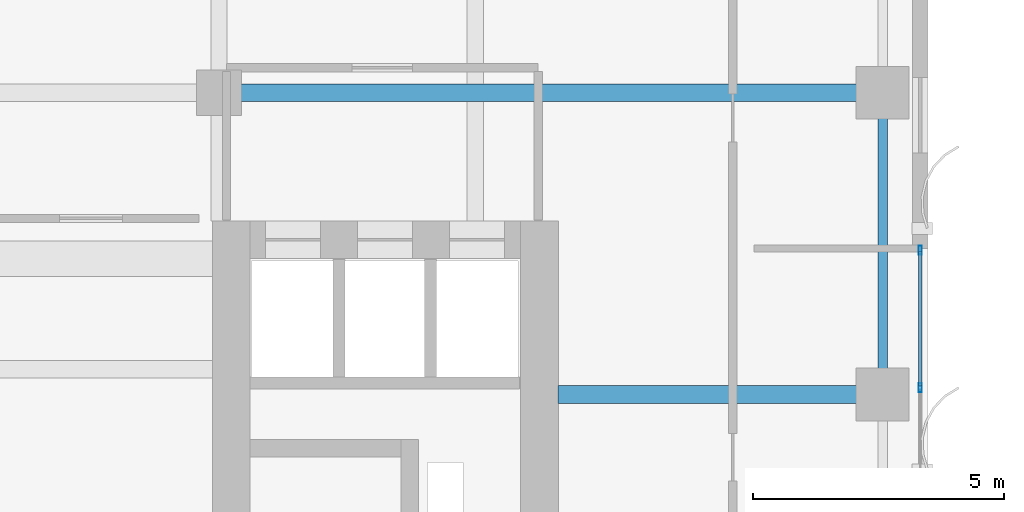
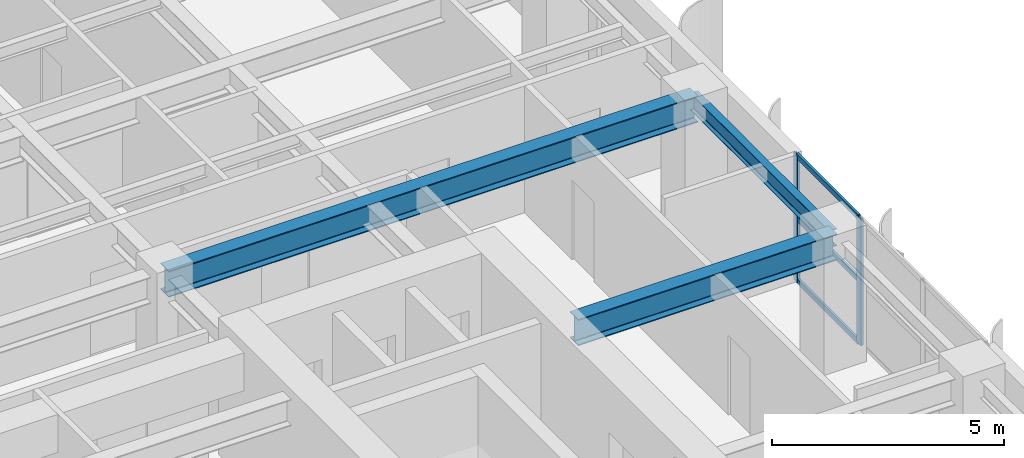
# One storey, part 8 of 19: 5 members, 3 beams, 1 element without a shape of its own.
"""IFC4 building model written with IfcOpenShell, lengths in metres."""

from ifc_helpers import new_model, si_unit, direction, frame, origin, origin_2d, place, context, subcontext, project, spatial, hollow_rectangle, i_section, extrude, source, transform, mapped, material, layer, layer_set, material_profile, profile_set, type_object, element, aggregate, save


model = new_model("IFC4")

# Units and contexts
model_context = context("Model", 3, precision=1e-05, world=origin(), true_north=direction((0.0, 1.0)))
body_context = subcontext(model_context, "Body", "Model", "MODEL_VIEW")
ifc_project = project(units=[si_unit("LENGTHUNIT", "METRE"), si_unit("AREAUNIT", "SQUARE_METRE"), si_unit("VOLUMEUNIT", "CUBIC_METRE"), si_unit("PLANEANGLEUNIT", "RADIAN"), si_unit("MASSUNIT", "GRAM", prefix="KILO")], contexts=[model_context])

# Site, building, storey
site_placement = place(None, origin())
site = spatial("IfcSite", under=ifc_project, at=site_placement, CompositionType="ELEMENT")
building_placement = place(site_placement, origin())
building = spatial("IfcBuilding", under=site, at=building_placement, Name="Khoralis Quay Care Tower", CompositionType="ELEMENT")
storey_placement = place(building_placement, frame((0.0, 0.0, 90.89990234375)))
storey = spatial("IfcBuildingStorey", under=building, at=storey_placement, Name="L23", CompositionType="ELEMENT", Elevation=90.89990234375)

# Beams
ifc_material_1 = material(Name="Steel S355", Category="steel")
ifc_material_profile_1 = material_profile(ifc_material_1, i_section(OverallWidth=0.18994140625, OverallDepth=0.449951171875, WebThickness=0.009521484375, FlangeThickness=0.0146484375, FilletRadius=0.02099609375, at=origin_2d()), Name="Steel S355")
ifc_profile_set_1 = profile_set([ifc_material_profile_1], Name="Steel S355")
beam_type_1 = type_object("IfcBeamType", Name="BM-IPE450", PredefinedType="SPANDREL", material=ifc_profile_set_1)
shared_shape_1 = source(origin(), body_context, "Body", "SweptSolid", [
    extrude(i_section(OverallWidth=0.18994140625, OverallDepth=0.449951171875, WebThickness=0.009521484375, FlangeThickness=0.0146484375, FilletRadius=0.02099609375, at=origin_2d()), origin(), (0.0, 0.0, 1.0), 6.0),
])
beam_1_placement = place(storey_placement, frame((44.10009765625, 24.0, 3.114990234375), z_axis=(0.0, 1.0, 0.0), x_axis=(-1.0, 0.0, 0.0)))
element("IfcBeam", 1, at=beam_1_placement, inside=storey, type_object=beam_type_1, Name="BM-TSP-L23-19", PredefinedType="SPANDREL", context=body_context, shape_type="MappedRepresentation", body=[
    mapped(shared_shape_1, transform((0.0, 0.0, 0.0), scale=1.0)),
])
ifc_material_profile_2 = material_profile(ifc_material_1, i_section(OverallWidth=0.35498046875, OverallDepth=0.695068359375, WebThickness=0.015380859375, FlangeThickness=0.02490234375, FilletRadius=0.02001953125, at=origin_2d()), Name="Steel S355")
ifc_profile_set_2 = profile_set([ifc_material_profile_2], Name="Steel S355")
beam_type_2 = type_object("IfcBeamType", Name="BM-W690X217", PredefinedType="BEAM", material=ifc_profile_set_2)
shared_shape_2 = source(origin(), body_context, "Body", "SweptSolid", [
    extrude(i_section(OverallWidth=0.35498046875, OverallDepth=0.695068359375, WebThickness=0.015380859375, FlangeThickness=0.02490234375, FilletRadius=0.02001953125, at=origin_2d()), origin(), (0.0, 0.0, 1.0), 13.2001953125),
])
beam_2_placement = place(storey_placement, frame((30.89990234375, 30.0, 2.99267578125), z_axis=(1.0, 0.0, 0.0), x_axis=(0.0, 1.0, 0.0)))
element("IfcBeam", 2, at=beam_2_placement, inside=storey, type_object=beam_type_2, Name="BM-TGXE-L23-300", PredefinedType="BEAM", context=body_context, shape_type="MappedRepresentation", body=[
    mapped(shared_shape_2, transform((0.0, 0.0, 0.0), scale=1.0)),
])
shared_shape_3 = source(origin(), body_context, "Body", "SweptSolid", [
    extrude(i_section(OverallWidth=0.35498046875, OverallDepth=0.695068359375, WebThickness=0.015380859375, FlangeThickness=0.02490234375, FilletRadius=0.02001953125, at=origin_2d()), origin(), (0.0, 0.0, 1.0), 6.4521484375),
])
beam_3_placement = place(storey_placement, frame((37.64794921875, 24.0, 2.99267578125), z_axis=(1.0, 0.0, 0.0), x_axis=(0.0, 1.0, 0.0)))
element("IfcBeam", 3, at=beam_3_placement, inside=storey, type_object=beam_type_2, Name="BM-TGXE-L23-240", PredefinedType="BEAM", context=body_context, shape_type="MappedRepresentation", body=[
    mapped(shared_shape_3, transform((0.0, 0.0, 0.0), scale=1.0)),
])

# Curtain wall, members
ifc_material_2 = material(Name="Pale anodised aluminium", Category="aluminium")
ifc_layer = layer(ifc_material_2, 0.169921875)
ifc_layer_set = layer_set([ifc_layer], Name="Pale anodised aluminium")
curtain_wall_type = type_object("IfcCurtainWallType", Name="CW-SYS-Z2", PredefinedType="NOTDEFINED", material=ifc_layer_set)
curtain_wall_placement = place(storey_placement, origin())
curtain_wall = element("IfcCurtainWall", 4, at=curtain_wall_placement, inside=storey, type_object=curtain_wall_type, Name="L23 Unitised Curtain Wall CW-L23-P1-E5", PredefinedType="NOTDEFINED")
ifc_material_profile_3 = material_profile(ifc_material_2, hollow_rectangle(XDim=0.06494140625, YDim=0.179931640625, WallThickness=0.00390625, at=origin_2d()), Name="Pale anodised aluminium")
ifc_profile_set_3 = profile_set([ifc_material_profile_3], Name="Pale anodised aluminium")
member_type_1 = type_object("IfcMemberType", Name="CW-MUL-180", PredefinedType="MULLION", material=ifc_profile_set_3)
shared_shape_4 = source(origin(), body_context, "Body", "SweptSolid", [
    extrude(hollow_rectangle(XDim=0.06494140625, YDim=0.179931640625, WallThickness=0.00390625, at=origin_2d()), origin(), (0.0, 0.0, 1.0), 3.340087890625),
])
member_1_placement = place(storey_placement, frame((44.85009765625, 24.13330078125, 0.0), z_axis=(0.0, 0.0, 1.0), x_axis=(-1.0, 0.0, 0.0)))
member_1 = element("IfcMember", 5, at=member_1_placement, type_object=member_type_1, Name="CW2 mullion 3", PredefinedType="MULLION", context=body_context, shape_type="MappedRepresentation", body=[
    mapped(shared_shape_4, transform((0.0, 0.0, 0.0), scale=1.0)),
])
member_2_placement = place(storey_placement, frame((44.85009765625, 26.8701171875, 0.0), z_axis=(0.0, 0.0, 1.0), x_axis=(-1.0, 0.0, 0.0)))
member_2 = element("IfcMember", 6, at=member_2_placement, type_object=member_type_1, Name="CW2 mullion 4", PredefinedType="MULLION", context=body_context, shape_type="MappedRepresentation", body=[
    mapped(shared_shape_4, transform((0.0, 0.0, 0.0), scale=1.0)),
])
ifc_material_profile_4 = material_profile(ifc_material_2, hollow_rectangle(XDim=0.06005859375, YDim=0.139892578125, WallThickness=0.00390625, at=origin_2d()), Name="Pale anodised aluminium")
ifc_profile_set_4 = profile_set([ifc_material_profile_4], Name="Pale anodised aluminium")
member_type_2 = type_object("IfcMemberType", Name="CW-TRN-140", PredefinedType="USERDEFINED", material=ifc_profile_set_4)
shared_shape_5 = source(origin(), body_context, "Body", "SweptSolid", [
    extrude(hollow_rectangle(XDim=0.06005859375, YDim=0.139892578125, WallThickness=0.00390625, at=origin_2d()), origin(), (0.0, 0.0, 1.0), 2.6767578125),
])
member_3_placement = place(storey_placement, frame((44.85009765625, 24.163330078125, 0.030029296875), z_axis=(0.0, 1.0, 0.0), x_axis=(-1.0, 0.0, 0.0)))
member_3 = element("IfcMember", 7, at=member_3_placement, type_object=member_type_2, Name="CW2 transom 3.1", ObjectType="TRANSOM", PredefinedType="USERDEFINED", context=body_context, shape_type="MappedRepresentation", body=[
    mapped(shared_shape_5, transform((0.0, 0.0, 0.0), scale=1.0)),
])
member_4_placement = place(storey_placement, frame((44.85009765625, 24.163330078125, 1.670166015625), z_axis=(0.0, 1.0, 0.0), x_axis=(-1.0, 0.0, 0.0)))
member_4 = element("IfcMember", 8, at=member_4_placement, type_object=member_type_2, Name="CW2 transom 3.2", ObjectType="TRANSOM", PredefinedType="USERDEFINED", context=body_context, shape_type="MappedRepresentation", body=[
    mapped(shared_shape_5, transform((0.0, 0.0, 0.0), scale=1.0)),
])
member_5_placement = place(storey_placement, frame((44.85009765625, 24.163330078125, 3.31005859375), z_axis=(0.0, 1.0, 0.0), x_axis=(-1.0, 0.0, 0.0)))
member_5 = element("IfcMember", 9, at=member_5_placement, type_object=member_type_2, Name="CW2 transom 3.3", ObjectType="TRANSOM", PredefinedType="USERDEFINED", context=body_context, shape_type="MappedRepresentation", body=[
    mapped(shared_shape_5, transform((0.0, 0.0, 0.0), scale=1.0)),
])
aggregate(curtain_wall, [member_1, member_2, member_3, member_4, member_5])

save(model, "model.ifc")
